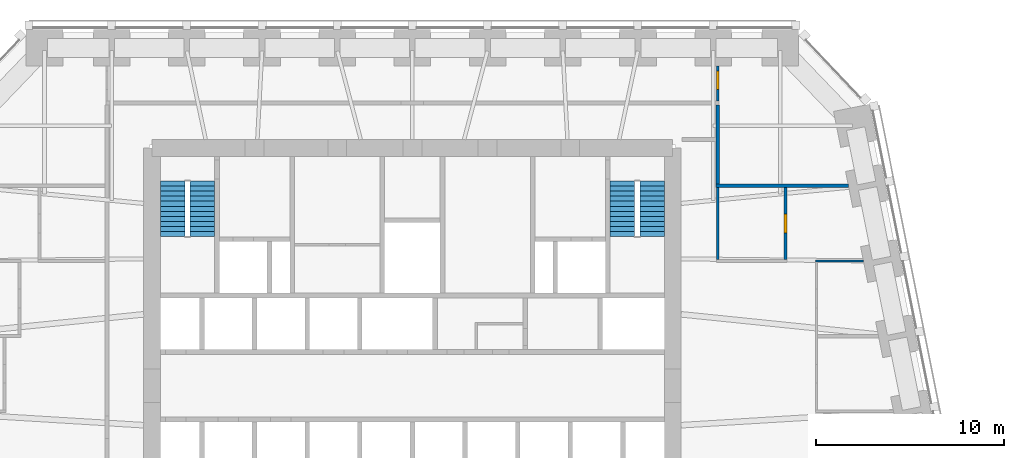
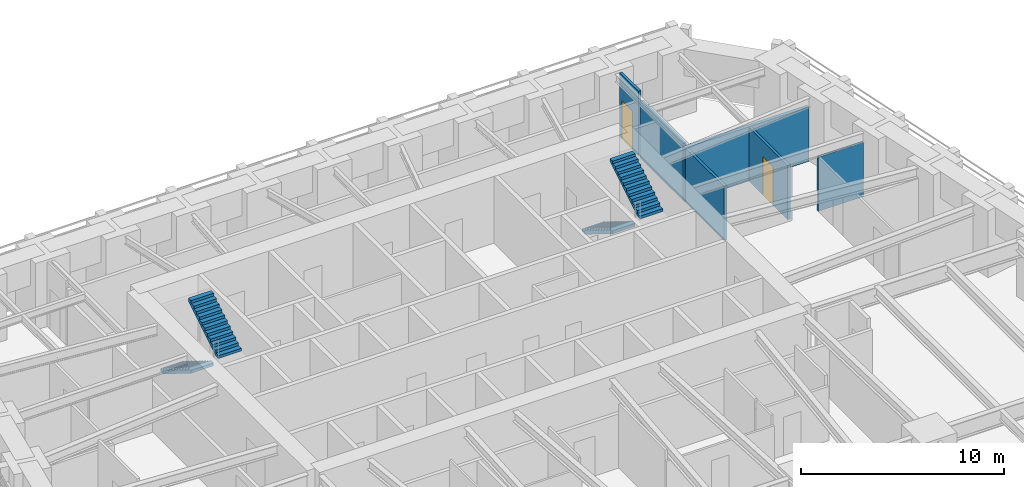
# One storey, part 8 of 10: 6 walls, 4 stair flights, 2 doors, 2 openings, 2 elements without a shape of their own.
"""IFC4 building model written with IfcOpenShell, lengths in metres."""

from ifc_helpers import new_model, si_unit, direction, frame, frame_2d, origin, place, context, subcontext, project, spatial, polyline, rectangle, outline, extrude, material, layer, layer_set, type_object, element, fill, aggregate, save


model = new_model("IFC4")

# Units and contexts
model_context = context("Model", 3, precision=1e-05, world=origin(), true_north=direction((0.0, 1.0)))
body_context = subcontext(model_context, "Body", "Model", "MODEL_VIEW")
ifc_project = project(units=[si_unit("LENGTHUNIT", "METRE"), si_unit("AREAUNIT", "SQUARE_METRE"), si_unit("VOLUMEUNIT", "CUBIC_METRE"), si_unit("PLANEANGLEUNIT", "RADIAN"), si_unit("MASSUNIT", "GRAM", prefix="KILO")], contexts=[model_context])

# Site, building, storey
site_placement = place(None, origin())
site = spatial("IfcSite", under=ifc_project, at=site_placement, CompositionType="ELEMENT")
building_placement = place(site_placement, origin())
building = spatial("IfcBuilding", under=site, at=building_placement, Name="Isbrekke Arena Tower", CompositionType="ELEMENT")
storey_placement = place(building_placement, frame((0.0, 0.0, 56.0)))
storey = spatial("IfcBuildingStorey", under=building, at=storey_placement, Name="L11", CompositionType="ELEMENT", Elevation=56.0)

# Wall
ifc_material_1 = material(Name="Gypsum board partition on steel studs", Category="steel")
ifc_layer_1 = layer(ifc_material_1, 0.14990234375)
ifc_layer_set_1 = layer_set([ifc_layer_1], Name="IW1 PARTITION 150")
wall_type_1 = type_object("IfcWallType", Name="IW1 PARTITION 150", PredefinedType="PARTITIONING", material=ifc_layer_set_1)
wall_1_placement = place(storey_placement, frame((16.25, 17.9150390625, 0.0), z_axis=(0.0, 0.0, 1.0), x_axis=(0.0, 1.0, 0.0)))
element("IfcWall", 1, at=wall_1_placement, inside=storey, type_object=wall_type_1, Name="IW1 partition 150 L11", PredefinedType="PARTITIONING", context=body_context, shape_type="SweptSolid", body=[
    extrude(rectangle(XDim=3.824951171875, YDim=0.14990234375, at=frame_2d((1.91259765625, 0.0))), origin(), (0.0, 0.0, 1.0), 3.25),
])

# Wall, opening, door
wall_2_placement = place(storey_placement, frame((16.25, 26.35009765625, 0.0), z_axis=(0.0, 0.0, 1.0), x_axis=(0.0, 1.0, 0.0)))
wall_2 = element("IfcWall", 2, at=wall_2_placement, inside=storey, type_object=wall_type_1, Name="IW1 partition 150 L11", PredefinedType="PARTITIONING", context=body_context, shape_type="SweptSolid", body=[
    extrude(rectangle(XDim=1.849853515625, YDim=0.14990234375, at=frame_2d((0.9248046875, 0.0))), origin(), (0.0, 0.0, 1.0), 3.85009765625),
])
opening_1_placement = place(wall_2_placement, frame((0.60009765625, 0.0, 0.0)))
opening_1 = element("IfcOpeningElement", 3, at=opening_1_placement, cuts=wall_2, Name="Opening D10", PredefinedType="OPENING", context=body_context, shape_type="SweptSolid", body=[
    extrude(rectangle(XDim=1.0, YDim=2.300048828125, at=frame_2d((0.5, 1.14990234375))), frame((0.0, 0.08984375, 0.0), z_axis=(0.0, -1.0, 0.0), x_axis=(1.0, 0.0, 0.0)), (0.0, 0.0, 1.0), 0.1796875),
])
ifc_material_2 = material(Name="Timber door", Category="wood")
door_type = type_object("IfcDoorType", Name="D10 OFFICE DOOR 1000 x 2300", OperationType="SINGLE_SWING_LEFT", PredefinedType="DOOR", material=ifc_material_2)
door_1_placement = place(opening_1_placement, origin())
door_1 = element("IfcDoor", 4, at=door_1_placement, inside=storey, type_object=door_type, Name="D10 tea point door L11", OperationType="SINGLE_SWING_LEFT", OverallHeight=2.300048828125, OverallWidth=1.0, PredefinedType="DOOR", context=body_context, shape_type="SweptSolid", body=[
    extrude(rectangle(XDim=1.0, YDim=2.300048828125, at=frame_2d((0.5, 1.14990234375))), frame((0.0, 0.07470703125, 0.0), z_axis=(0.0, -1.0, 0.0), x_axis=(1.0, 0.0, 0.0)), (0.0, 0.0, 1.0), 0.1494140625),
])
fill(opening_1, door_1)

wall_3_placement = place(storey_placement, frame((19.85009765625, 17.9150390625, 0.0), z_axis=(0.0, 0.0, 1.0), x_axis=(0.0, 1.0, 0.0)))
wall_3 = element("IfcWall", 5, at=wall_3_placement, inside=storey, type_object=wall_type_1, Name="IW1 partition 150 L11", PredefinedType="PARTITIONING", context=body_context, shape_type="SweptSolid", body=[
    extrude(rectangle(XDim=3.824951171875, YDim=0.14990234375, at=frame_2d((1.91259765625, 0.0))), origin(), (0.0, 0.0, 1.0), 3.25),
])
opening_2_placement = place(wall_3_placement, frame((1.425048828125, 0.0, 0.0)))
opening_2 = element("IfcOpeningElement", 6, at=opening_2_placement, cuts=wall_3, Name="Opening D10", PredefinedType="OPENING", context=body_context, shape_type="SweptSolid", body=[
    extrude(rectangle(XDim=1.0, YDim=2.300048828125, at=frame_2d((0.5, 1.14990234375))), frame((0.0, 0.08984375, 0.0), z_axis=(0.0, -1.0, 0.0), x_axis=(1.0, 0.0, 0.0)), (0.0, 0.0, 1.0), 0.1796875),
])
door_2_placement = place(opening_2_placement, origin())
door_2 = element("IfcDoor", 7, at=door_2_placement, inside=storey, type_object=door_type, Name="D10 pantry door L11", OperationType="SINGLE_SWING_LEFT", OverallHeight=2.300048828125, OverallWidth=1.0, PredefinedType="DOOR", context=body_context, shape_type="SweptSolid", body=[
    extrude(rectangle(XDim=1.0, YDim=2.300048828125, at=frame_2d((0.5, 1.14990234375))), frame((0.0, 0.07470703125, 0.0), z_axis=(0.0, -1.0, 0.0), x_axis=(1.0, 0.0, 0.0)), (0.0, 0.0, 1.0), 0.1494140625),
])
fill(opening_2, door_2)

# Walls
ifc_material_3 = material(Name="Frameless glazed partition, laminated acoustic glass", Category="glass")
ifc_layer_2 = layer(ifc_material_3, 0.1201171875)
ifc_layer_set_2 = layer_set([ifc_layer_2], Name="IW2 GLAZED PARTITION 120")
wall_type_2 = type_object("IfcWallType", Name="IW2 GLAZED PARTITION 120", PredefinedType="PARTITIONING", material=ifc_layer_set_2)
wall_4_placement = place(storey_placement, frame((21.43994140625, 17.840087890625, 0.0), z_axis=(0.0, 0.0, 1.0), x_axis=(1.0, 0.0, 0.0)))
element("IfcWall", 8, at=wall_4_placement, inside=storey, type_object=wall_type_2, Name="IW2 glazed partition 120 L11", PredefinedType="PARTITIONING", context=body_context, shape_type="SweptSolid", body=[
    extrude(rectangle(XDim=2.556396484375, YDim=0.1201171875, at=frame_2d((1.2783203125, 0.0))), origin(), (0.0, 0.0, 1.0), 3.25),
])
ifc_material_4 = material(Name="Gypsum board fire-cell wall on steel studs, two layers each side", Category="steel")
ifc_layer_3 = layer(ifc_material_4, 0.199951171875)
ifc_layer_set_3 = layer_set([ifc_layer_3], Name="IW3 FIRE-CELL WALL 200")
wall_type_3 = type_object("IfcWallType", Name="IW3 FIRE-CELL WALL 200", PredefinedType="PARTITIONING", material=ifc_layer_set_3)
wall_5_placement = place(storey_placement, frame((16.14990234375, 21.840087890625, 0.0), z_axis=(0.0, 0.0, 1.0), x_axis=(1.0, 0.0, 0.0)))
element("IfcWall", 9, at=wall_5_placement, inside=storey, type_object=wall_type_3, Name="IW3 fire-cell wall 200 L11", PredefinedType="PARTITIONING", context=body_context, shape_type="SweptSolid", body=[
    extrude(rectangle(XDim=7.04638671875, YDim=0.199951171875, at=frame_2d((3.523193359375, 0.0))), origin(), (0.0, 0.0, 1.0), 3.25),
])
wall_6_placement = place(storey_placement, frame((16.25, 21.93994140625, 0.0), z_axis=(0.0, 0.0, 1.0), x_axis=(0.0, 1.0, 0.0)))
element("IfcWall", 10, at=wall_6_placement, inside=storey, type_object=wall_type_3, Name="IW3 fire-cell wall 200 L11", PredefinedType="PARTITIONING", context=body_context, shape_type="SweptSolid", body=[
    extrude(rectangle(XDim=4.2099609375, YDim=0.199951171875, at=frame_2d((2.10498046875, 0.0))), origin(), (0.0, 0.0, 1.0), 3.39990234375),
])

# Stair, stair flights
ifc_material_5 = material(Name="Concrete B45 (C45/55) precast", Category="concrete")
stair_type = type_object("IfcStairType", Name="ST40 STAIR 1300 WIDE, 24 RISERS 167", PredefinedType="HALF_TURN_STAIR", material=ifc_material_5)
stair_1_placement = place(storey_placement, origin())
stair_1 = element("IfcStair", 11, at=stair_1_placement, inside=storey, type_object=stair_type, Name="ST1 stair L11", PredefinedType="HALF_TURN_STAIR")
ifc_material_6 = material(Name="Concrete B45 (C45/55) precast", Category="concrete")
stair_flight_type = type_object("IfcStairFlightType", Name="SF 1300 FLIGHT", PredefinedType="STRAIGHT", material=ifc_material_6)
stair_flight_1_placement = place(storey_placement, frame((-12.75, 22.10009765625, 0.0), z_axis=(0.0, 0.0, 1.0), x_axis=(0.0, -1.0, 0.0)))
stair_flight_1 = element("IfcStairFlight", 12, at=stair_flight_1_placement, type_object=stair_flight_type, Name="ST1 flight 1", NumberOfRisers=12, NumberOfTreads=11, PredefinedType="STRAIGHT", RiserHeight=0.166666667, TreadLength=0.27, context=body_context, shape_type="SweptSolid", body=[
    extrude(outline(polyline([(0.0, 0.0), (0.0, 0.166748046875), (0.27001953125, 0.166748046875), (0.27001953125, 0.333251953125), (0.5400390625, 0.333251953125), (0.5400390625, 0.5), (0.81005859375, 0.5), (0.81005859375, 0.666748046875), (1.080078125, 0.666748046875), (1.080078125, 0.833251953125), (1.35009765625, 0.833251953125), (1.35009765625, 1.0), (1.6201171875, 1.0), (1.6201171875, 1.166748046875), (1.889892578125, 1.166748046875), (1.889892578125, 1.333251953125), (2.159912109375, 1.333251953125), (2.159912109375, 1.5), (2.429931640625, 1.5), (2.429931640625, 1.666748046875), (2.699951171875, 1.666748046875), (2.699951171875, 1.833251953125), (2.969970703125, 1.833251953125), (2.969970703125, 2.0), (2.969970703125, 1.6572265625), (0.285400390625, 0.0), (0.0, 0.0)])), frame((0.0, 0.64990234375, 0.0), z_axis=(0.0, -1.0, 0.0), x_axis=(1.0, 0.0, 0.0)), (0.0, 0.0, 1.0), 1.300048828125),
])
stair_flight_2_placement = place(storey_placement, frame((-11.175048828125, 19.1298828125, 2.0), z_axis=(0.0, 0.0, 1.0), x_axis=(0.0, 1.0, 0.0)))
stair_flight_2 = element("IfcStairFlight", 13, at=stair_flight_2_placement, type_object=stair_flight_type, Name="ST1 flight 2", NumberOfRisers=12, NumberOfTreads=11, PredefinedType="STRAIGHT", RiserHeight=0.166666667, TreadLength=0.27, context=body_context, shape_type="SweptSolid", body=[
    extrude(outline(polyline([(0.0, 0.0), (0.0, 0.166748046875), (0.27001953125, 0.166748046875), (0.27001953125, 0.333251953125), (0.5400390625, 0.333251953125), (0.5400390625, 0.5), (0.81005859375, 0.5), (0.81005859375, 0.666748046875), (1.080078125, 0.666748046875), (1.080078125, 0.833251953125), (1.35009765625, 0.833251953125), (1.35009765625, 1.0), (1.6201171875, 1.0), (1.6201171875, 1.166748046875), (1.889892578125, 1.166748046875), (1.889892578125, 1.333251953125), (2.159912109375, 1.333251953125), (2.159912109375, 1.5), (2.429931640625, 1.5), (2.429931640625, 1.666748046875), (2.699951171875, 1.666748046875), (2.699951171875, 1.833251953125), (2.969970703125, 1.833251953125), (2.969970703125, 2.0), (2.969970703125, 1.6572265625), (0.285400390625, 0.0), (0.0, 0.0)])), frame((0.0, 0.64990234375, 0.0), z_axis=(0.0, -1.0, 0.0), x_axis=(1.0, 0.0, 0.0)), (0.0, 0.0, 1.0), 1.300048828125),
])
aggregate(stair_1, [stair_flight_1, stair_flight_2])

stair_2_placement = place(storey_placement, origin())
stair_2 = element("IfcStair", 14, at=stair_2_placement, inside=storey, type_object=stair_type, Name="ST2 stair L11", PredefinedType="HALF_TURN_STAIR")
stair_flight_3_placement = place(storey_placement, frame((11.175048828125, 22.10009765625, 0.0), z_axis=(0.0, 0.0, 1.0), x_axis=(0.0, -1.0, 0.0)))
stair_flight_3 = element("IfcStairFlight", 15, at=stair_flight_3_placement, type_object=stair_flight_type, Name="ST2 flight 1", NumberOfRisers=12, NumberOfTreads=11, PredefinedType="STRAIGHT", RiserHeight=0.166666667, TreadLength=0.27, context=body_context, shape_type="SweptSolid", body=[
    extrude(outline(polyline([(0.0, 0.0), (0.0, 0.166748046875), (0.27001953125, 0.166748046875), (0.27001953125, 0.333251953125), (0.5400390625, 0.333251953125), (0.5400390625, 0.5), (0.81005859375, 0.5), (0.81005859375, 0.666748046875), (1.080078125, 0.666748046875), (1.080078125, 0.833251953125), (1.35009765625, 0.833251953125), (1.35009765625, 1.0), (1.6201171875, 1.0), (1.6201171875, 1.166748046875), (1.889892578125, 1.166748046875), (1.889892578125, 1.333251953125), (2.159912109375, 1.333251953125), (2.159912109375, 1.5), (2.429931640625, 1.5), (2.429931640625, 1.666748046875), (2.699951171875, 1.666748046875), (2.699951171875, 1.833251953125), (2.969970703125, 1.833251953125), (2.969970703125, 2.0), (2.969970703125, 1.6572265625), (0.285400390625, 0.0), (0.0, 0.0)])), frame((0.0, 0.64990234375, 0.0), z_axis=(0.0, -1.0, 0.0), x_axis=(1.0, 0.0, 0.0)), (0.0, 0.0, 1.0), 1.300048828125),
])
stair_flight_4_placement = place(storey_placement, frame((12.75, 19.1298828125, 2.0), z_axis=(0.0, 0.0, 1.0), x_axis=(0.0, 1.0, 0.0)))
stair_flight_4 = element("IfcStairFlight", 16, at=stair_flight_4_placement, type_object=stair_flight_type, Name="ST2 flight 2", NumberOfRisers=12, NumberOfTreads=11, PredefinedType="STRAIGHT", RiserHeight=0.166666667, TreadLength=0.27, context=body_context, shape_type="SweptSolid", body=[
    extrude(outline(polyline([(0.0, 0.0), (0.0, 0.166748046875), (0.27001953125, 0.166748046875), (0.27001953125, 0.333251953125), (0.5400390625, 0.333251953125), (0.5400390625, 0.5), (0.81005859375, 0.5), (0.81005859375, 0.666748046875), (1.080078125, 0.666748046875), (1.080078125, 0.833251953125), (1.35009765625, 0.833251953125), (1.35009765625, 1.0), (1.6201171875, 1.0), (1.6201171875, 1.166748046875), (1.889892578125, 1.166748046875), (1.889892578125, 1.333251953125), (2.159912109375, 1.333251953125), (2.159912109375, 1.5), (2.429931640625, 1.5), (2.429931640625, 1.666748046875), (2.699951171875, 1.666748046875), (2.699951171875, 1.833251953125), (2.969970703125, 1.833251953125), (2.969970703125, 2.0), (2.969970703125, 1.6572265625), (0.285400390625, 0.0), (0.0, 0.0)])), frame((0.0, 0.64990234375, 0.0), z_axis=(0.0, -1.0, 0.0), x_axis=(1.0, 0.0, 0.0)), (0.0, 0.0, 1.0), 1.300048828125),
])
aggregate(stair_2, [stair_flight_3, stair_flight_4])

save(model, "model.ifc")
